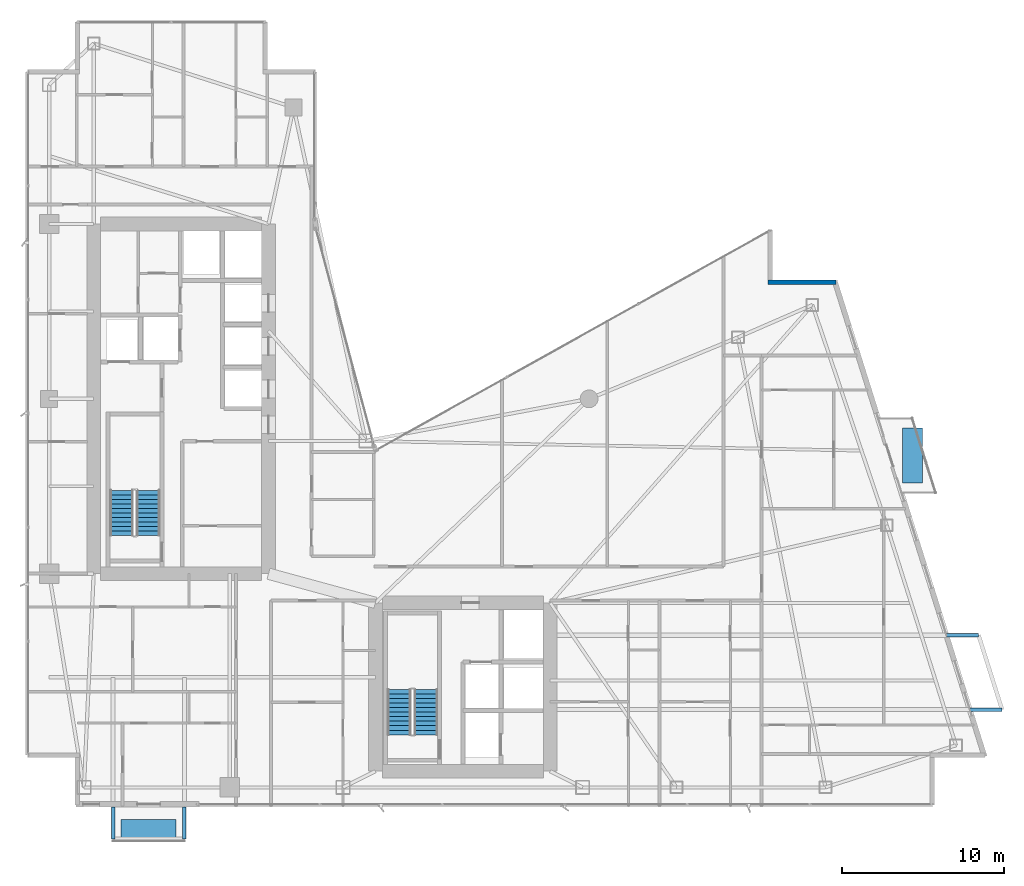
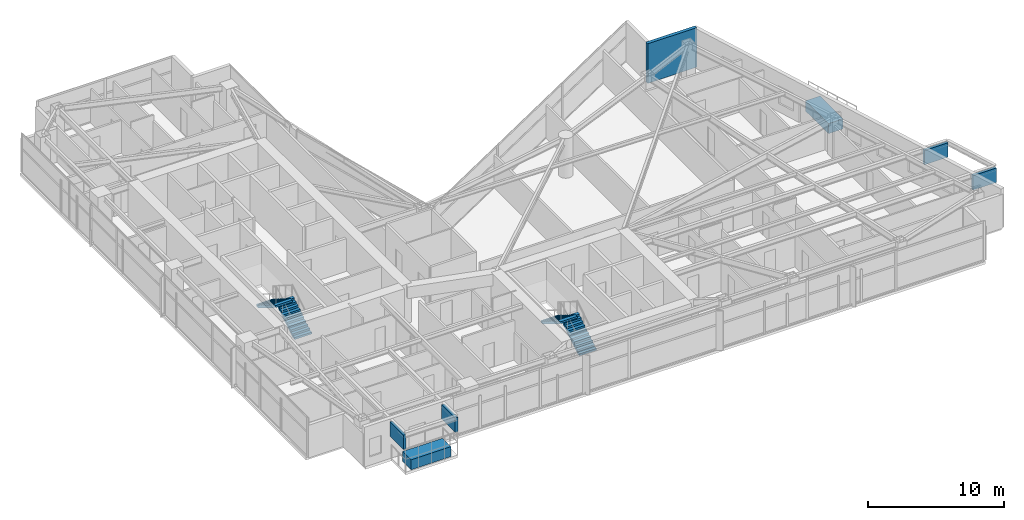
# One storey, part 26 of 29: 6 discrete accessories, 4 stair flights, 1 wall, 2 elements without a shape of their own.
"""IFC4 building model written with IfcOpenShell, lengths in metres."""

from ifc_helpers import new_model, si_unit, direction, frame, frame_2d, origin, origin_2d, place, context, subcontext, project, spatial, polyline, rectangle, outline, extrude, material, layer, layer_set, type_object, element, aggregate, save


model = new_model("IFC4")

# Units and contexts
model_context = context("Model", 3, precision=1e-05, world=origin(), true_north=direction((0.0, 1.0)))
body_context = subcontext(model_context, "Body", "Model", "MODEL_VIEW")
ifc_project = project(units=[si_unit("LENGTHUNIT", "METRE"), si_unit("AREAUNIT", "SQUARE_METRE"), si_unit("VOLUMEUNIT", "CUBIC_METRE"), si_unit("PLANEANGLEUNIT", "RADIAN"), si_unit("MASSUNIT", "GRAM", prefix="KILO")], contexts=[model_context])

# Site, building, storey
site_placement = place(None, origin())
site = spatial("IfcSite", under=ifc_project, at=site_placement, CompositionType="ELEMENT")
building_placement = place(site_placement, origin())
building = spatial("IfcBuilding", under=site, at=building_placement, Name="Calvorn Quay Hotel", CompositionType="ELEMENT")
storey_placement = place(building_placement, frame((0.0, 0.0, 163.699951171875)))
storey = spatial("IfcBuildingStorey", under=building, at=storey_placement, Name="L40", CompositionType="ELEMENT", Elevation=163.699951171875)

# Wall
ifc_material_1 = material(Name="Concrete C40", Category="concrete")
ifc_layer = layer(ifc_material_1, 0.320068359375)
ifc_layer_set = layer_set([ifc_layer], Name="WL-EXT-SPANDREL-320")
wall_type = type_object("IfcWallType", Name="WL-EXT-SPANDREL-320", PredefinedType="SOLIDWALL", material=ifc_layer_set)
wall_placement = place(storey_placement, frame((50.0400390625, 34.800048828125, 0.0), z_axis=(0.0, 0.0, 1.0), x_axis=(-1.0, 0.0, 0.0)))
element("IfcWall", 1, at=wall_placement, inside=storey, type_object=wall_type, Name="Notched Corner Spandrel L40-NE1", PredefinedType="SOLIDWALL", context=body_context, shape_type="SweptSolid", body=[
    extrude(rectangle(XDim=4.179931640625, YDim=0.280029296875, at=frame_2d((2.08984375, 0.0))), origin(), (0.0, 0.0, 1.0), 3.56005859375),
])

# Stair, stair flights
ifc_material_2 = material(Name="Concrete C40", Category="concrete")
stair_type = type_object("IfcStairType", Name="STR-CORE-DOGLEG", PredefinedType="HALF_TURN_STAIR", material=ifc_material_2)
stair_1_placement = place(storey_placement, origin())
stair_1 = element("IfcStair", 2, at=stair_1_placement, inside=storey, type_object=stair_type, Name="L40 ST-W", PredefinedType="HALF_TURN_STAIR")
ifc_material_3 = material(Name="Concrete C40", Category="concrete")
stair_flight_type = type_object("IfcStairFlightType", Name="FLT-CORE-1550", PredefinedType="STRAIGHT", material=ifc_material_3)
stair_flight_1_placement = place(storey_placement, frame((7.574951171875, 19.14990234375, 0.0), z_axis=(0.0, 0.0, 1.0), x_axis=(0.0, 1.0, 0.0)))
stair_flight_1 = element("IfcStairFlight", 3, at=stair_flight_1_placement, type_object=stair_flight_type, Name="ST-W flight 1", NumberOfRisers=11, NumberOfTreads=10, PredefinedType="STRAIGHT", RiserHeight=0.172727273, TreadLength=0.28, context=body_context, shape_type="SweptSolid", body=[
    extrude(outline(polyline([(0.0, 0.0), (0.0, 0.172607421875), (0.280029296875, 0.172607421875), (0.280029296875, 0.345458984375), (0.56005859375, 0.345458984375), (0.56005859375, 0.51806640625), (0.840087890625, 0.51806640625), (0.840087890625, 0.69091796875), (1.1201171875, 0.69091796875), (1.1201171875, 0.863525390625), (1.39990234375, 0.863525390625), (1.39990234375, 1.036376953125), (1.679931640625, 1.036376953125), (1.679931640625, 1.208984375), (1.9599609375, 1.208984375), (1.9599609375, 1.3818359375), (2.239990234375, 1.3818359375), (2.239990234375, 1.554443359375), (2.52001953125, 1.554443359375), (2.52001953125, 1.727294921875), (2.800048828125, 1.727294921875), (2.800048828125, 1.89990234375), (2.800048828125, 1.551025390625), (0.285400390625, 0.0), (0.0, 0.0)])), frame((0.0, 0.72509765625, 0.0), z_axis=(0.0, -1.0, 0.0), x_axis=(1.0, 0.0, 0.0)), (0.0, 0.0, 1.0), 1.449951171875),
])
stair_flight_2_placement = place(storey_placement, frame((5.925048828125, 21.949951171875, 1.900146484375), z_axis=(0.0, 0.0, 1.0), x_axis=(0.0, -1.0, 0.0)))
stair_flight_2 = element("IfcStairFlight", 4, at=stair_flight_2_placement, type_object=stair_flight_type, Name="ST-W flight 2", NumberOfRisers=11, NumberOfTreads=10, PredefinedType="STRAIGHT", RiserHeight=0.172727273, TreadLength=0.28, context=body_context, shape_type="SweptSolid", body=[
    extrude(outline(polyline([(0.0, 0.0), (0.0, 0.172607421875), (0.280029296875, 0.172607421875), (0.280029296875, 0.345458984375), (0.56005859375, 0.345458984375), (0.56005859375, 0.51806640625), (0.840087890625, 0.51806640625), (0.840087890625, 0.69091796875), (1.1201171875, 0.69091796875), (1.1201171875, 0.863525390625), (1.39990234375, 0.863525390625), (1.39990234375, 1.036376953125), (1.679931640625, 1.036376953125), (1.679931640625, 1.208984375), (1.9599609375, 1.208984375), (1.9599609375, 1.3818359375), (2.239990234375, 1.3818359375), (2.239990234375, 1.554443359375), (2.52001953125, 1.554443359375), (2.52001953125, 1.727294921875), (2.800048828125, 1.727294921875), (2.800048828125, 1.89990234375), (2.800048828125, 1.551025390625), (0.285400390625, 0.0), (0.0, 0.0)])), frame((0.0, 0.72509765625, 0.0), z_axis=(0.0, -1.0, 0.0), x_axis=(1.0, 0.0, 0.0)), (0.0, 0.0, 1.0), 1.449951171875),
])
aggregate(stair_1, [stair_flight_1, stair_flight_2])

stair_2_placement = place(storey_placement, origin())
stair_2 = element("IfcStair", 5, at=stair_2_placement, inside=storey, type_object=stair_type, Name="L40 ST-E", PredefinedType="HALF_TURN_STAIR")
stair_flight_3_placement = place(storey_placement, frame((24.72509765625, 6.85009765625, 0.0), z_axis=(0.0, 0.0, 1.0), x_axis=(0.0, 1.0, 0.0)))
stair_flight_3 = element("IfcStairFlight", 6, at=stair_flight_3_placement, type_object=stair_flight_type, Name="ST-E flight 1", NumberOfRisers=11, NumberOfTreads=10, PredefinedType="STRAIGHT", RiserHeight=0.172727273, TreadLength=0.28, context=body_context, shape_type="SweptSolid", body=[
    extrude(outline(polyline([(0.0, 0.0), (0.0, 0.172607421875), (0.280029296875, 0.172607421875), (0.280029296875, 0.345458984375), (0.56005859375, 0.345458984375), (0.56005859375, 0.51806640625), (0.840087890625, 0.51806640625), (0.840087890625, 0.69091796875), (1.1201171875, 0.69091796875), (1.1201171875, 0.863525390625), (1.39990234375, 0.863525390625), (1.39990234375, 1.036376953125), (1.679931640625, 1.036376953125), (1.679931640625, 1.208984375), (1.9599609375, 1.208984375), (1.9599609375, 1.3818359375), (2.239990234375, 1.3818359375), (2.239990234375, 1.554443359375), (2.52001953125, 1.554443359375), (2.52001953125, 1.727294921875), (2.800048828125, 1.727294921875), (2.800048828125, 1.89990234375), (2.800048828125, 1.551025390625), (0.285400390625, 0.0), (0.0, 0.0)])), frame((0.0, 0.72509765625, 0.0), z_axis=(0.0, -1.0, 0.0), x_axis=(1.0, 0.0, 0.0)), (0.0, 0.0, 1.0), 1.449951171875),
])
stair_flight_4_placement = place(storey_placement, frame((23.074951171875, 9.64990234375, 1.900146484375), z_axis=(0.0, 0.0, 1.0), x_axis=(0.0, -1.0, 0.0)))
stair_flight_4 = element("IfcStairFlight", 7, at=stair_flight_4_placement, type_object=stair_flight_type, Name="ST-E flight 2", NumberOfRisers=11, NumberOfTreads=10, PredefinedType="STRAIGHT", RiserHeight=0.172727273, TreadLength=0.28, context=body_context, shape_type="SweptSolid", body=[
    extrude(outline(polyline([(0.0, 0.0), (0.0, 0.172607421875), (0.280029296875, 0.172607421875), (0.280029296875, 0.345458984375), (0.56005859375, 0.345458984375), (0.56005859375, 0.51806640625), (0.840087890625, 0.51806640625), (0.840087890625, 0.69091796875), (1.1201171875, 0.69091796875), (1.1201171875, 0.863525390625), (1.39990234375, 0.863525390625), (1.39990234375, 1.036376953125), (1.679931640625, 1.036376953125), (1.679931640625, 1.208984375), (1.9599609375, 1.208984375), (1.9599609375, 1.3818359375), (2.239990234375, 1.3818359375), (2.239990234375, 1.554443359375), (2.52001953125, 1.554443359375), (2.52001953125, 1.727294921875), (2.800048828125, 1.727294921875), (2.800048828125, 1.89990234375), (2.800048828125, 1.551025390625), (0.285400390625, 0.0), (0.0, 0.0)])), frame((0.0, 0.72509765625, 0.0), z_axis=(0.0, -1.0, 0.0), x_axis=(1.0, 0.0, 0.0)), (0.0, 0.0, 1.0), 1.449951171875),
])
aggregate(stair_2, [stair_flight_3, stair_flight_4])

# Discrete accessories
ifc_material_4 = material(Name="Steel Q355B", Category="steel")
discrete_accessory_type_1 = type_object("IfcDiscreteAccessoryType", Name="ACC-BALC-STRUT", PredefinedType="BRACKET", material=ifc_material_4)
for number, where, z_axis, x_axis, name in (
    (8, (59.31298828125, 8.39990234375, 2.01513671875), (0.0, 0.0, 1.0), (1.0, 0.0, 0.0), "Exterior Balcony Steel Bracket L41-BALC-E-A"),
    (9, (57.863037109375, 13.0, 2.01513671875), (0.0, 0.0, 1.0), (1.0, 0.0, 0.0), "Exterior Balcony Steel Bracket L41-BALC-E-B"),
):
    element("IfcDiscreteAccessory", number, at=place(storey_placement, frame(where, z_axis=z_axis, x_axis=x_axis)), inside=storey, type_object=discrete_accessory_type_1, Name=name, PredefinedType="BRACKET", context=body_context, shape_type="SweptSolid", body=[
        extrude(rectangle(XDim=1.989990234375, YDim=0.219970703125, at=origin_2d()), origin(), (0.0, 0.0, 1.0), 1.300048828125),
    ])
for number, where, z_axis, x_axis, name in (
    (10, (5.39990234375, 1.405029296875, 2.01513671875), (0.0, 0.0, 1.0), (1.0, 0.0, 0.0), "Exterior Balcony Steel Bracket L41-BALC-S-A"),
    (11, (9.800048828125, 1.405029296875, 2.01513671875), (0.0, 0.0, 1.0), (1.0, 0.0, 0.0), "Exterior Balcony Steel Bracket L41-BALC-S-B"),
):
    element("IfcDiscreteAccessory", number, at=place(storey_placement, frame(where, z_axis=z_axis, x_axis=x_axis)), inside=storey, type_object=discrete_accessory_type_1, Name=name, PredefinedType="BRACKET", context=body_context, shape_type="SweptSolid", body=[
        extrude(rectangle(XDim=0.219970703125, YDim=1.989990234375, at=origin_2d()), origin(), (0.0, 0.0, 1.0), 1.300048828125),
    ])
ifc_material_5 = material(Name="Precast concrete C40", Category="concrete")
discrete_accessory_type_2 = type_object("IfcDiscreteAccessoryType", Name="ACC-TREE-PLANTER", PredefinedType="USERDEFINED", material=ifc_material_5)
discrete_accessory_1_placement = place(storey_placement, frame((54.781982421875, 24.10009765625, 0.0), z_axis=(0.0, 0.0, 1.0), x_axis=(1.0, 0.0, 0.0)))
element("IfcDiscreteAccessory", 12, at=discrete_accessory_1_placement, inside=storey, type_object=discrete_accessory_type_2, Name="Subtropical Tree Structural Planter L40-BALC-E", ObjectType="PLANTER", PredefinedType="USERDEFINED", context=body_context, shape_type="SweptSolid", body=[
    extrude(rectangle(XDim=1.25, YDim=3.39990234375, at=origin_2d()), origin(), (0.0, 0.0, 1.0), 0.89990234375),
])
discrete_accessory_2_placement = place(storey_placement, frame((7.60009765625, 0.989990234375, 0.0), z_axis=(0.0, 0.0, 1.0), x_axis=(1.0, 0.0, 0.0)))
element("IfcDiscreteAccessory", 13, at=discrete_accessory_2_placement, inside=storey, type_object=discrete_accessory_type_2, Name="Subtropical Tree Structural Planter L40-BALC-S", ObjectType="PLANTER", PredefinedType="USERDEFINED", context=body_context, shape_type="SweptSolid", body=[
    extrude(rectangle(XDim=3.39990234375, YDim=1.25, at=origin_2d()), origin(), (0.0, 0.0, 1.0), 0.89990234375),
])

save(model, "model.ifc")
